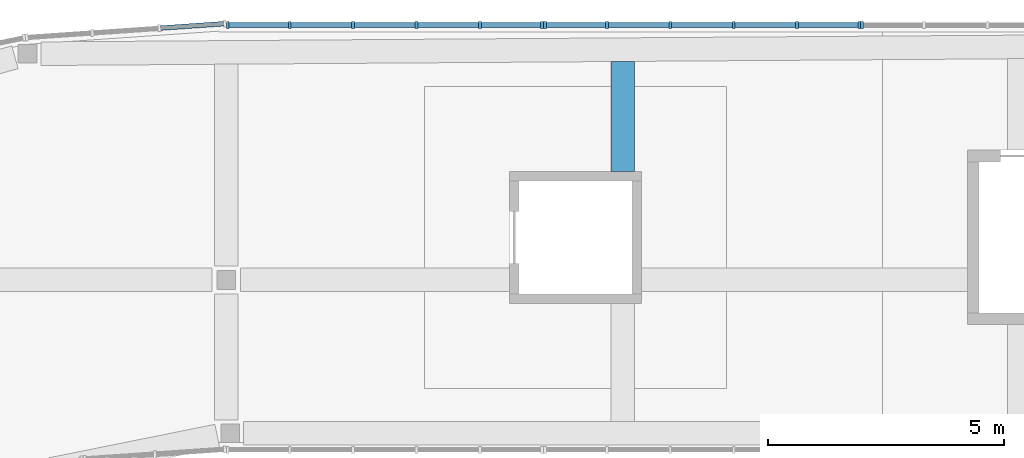
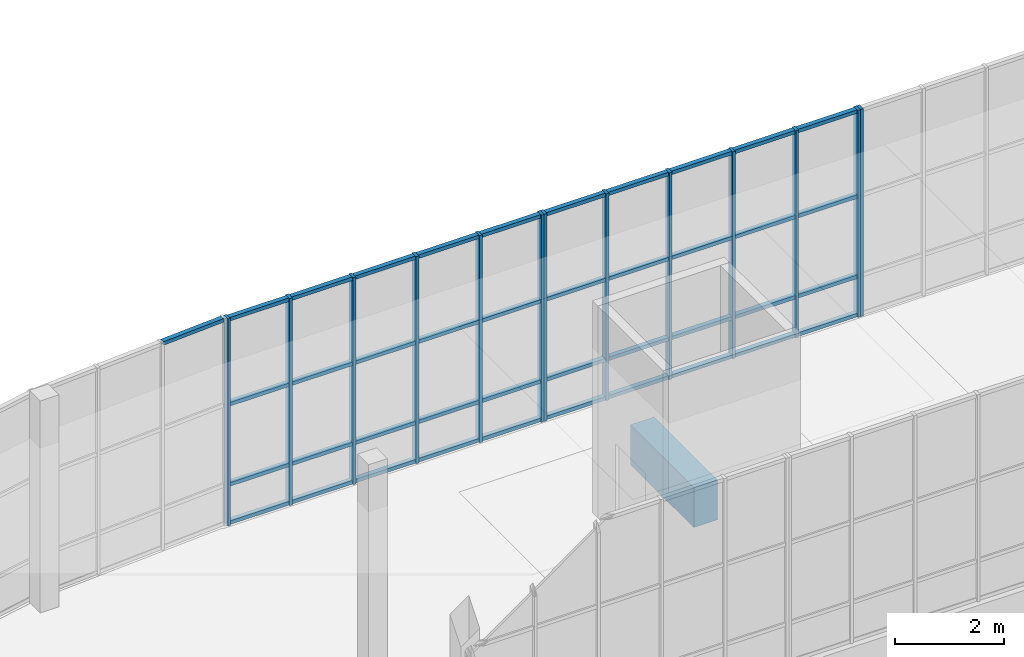
# One storey, part 31 of 103: 54 members, 1 beam, 4 elements without a shape of their own.
"""IFC4 building model written with IfcOpenShell, lengths in metres."""

from ifc_helpers import new_model, si_unit, direction, frame, origin, origin_2d, place, context, subcontext, project, spatial, rectangle, extrude, material, layer, layer_set, material_profile, profile_set, type_object, element, aggregate, save


model = new_model("IFC4")

# Units and contexts
model_context = context("Model", 3, precision=1e-05, world=origin(), true_north=direction((0.0, 1.0)))
body_context = subcontext(model_context, "Body", "Model", "MODEL_VIEW")
ifc_project = project(units=[si_unit("LENGTHUNIT", "METRE"), si_unit("AREAUNIT", "SQUARE_METRE"), si_unit("VOLUMEUNIT", "CUBIC_METRE"), si_unit("PLANEANGLEUNIT", "RADIAN"), si_unit("MASSUNIT", "GRAM", prefix="KILO")], contexts=[model_context])

# Site, building, storey
site_placement = place(None, origin())
site = spatial("IfcSite", under=ifc_project, at=site_placement, CompositionType="ELEMENT")
building_placement = place(site_placement, origin())
building = spatial("IfcBuilding", under=site, at=building_placement, Name="Larchfold Concert Hall", CompositionType="ELEMENT")
storey_placement = place(building_placement, frame((0.0, 0.0, 9.60009765625)))
storey = spatial("IfcBuildingStorey", under=building, at=storey_placement, Name="L02", CompositionType="ELEMENT", Elevation=9.60009765625)

# Curtain wall, member
ifc_material_1 = material(Name="Anodised graphite aluminium curtain wall", Category="aluminium")
ifc_layer = layer(ifc_material_1, 0.14990234375)
ifc_layer_set = layer_set([ifc_layer], Name="Anodised graphite aluminium curtain wall")
curtain_wall_type = type_object("IfcCurtainWallType", Name="Curtain wall WG", PredefinedType="NOTDEFINED", material=ifc_layer_set)
curtain_wall_1_placement = place(storey_placement, origin())
curtain_wall_1 = element("IfcCurtainWall", 1, at=curtain_wall_1_placement, inside=storey, type_object=curtain_wall_type, Name="Curtain wall CW0252", PredefinedType="NOTDEFINED")
ifc_material_2 = material(Name="Anodised graphite aluminium mullion", Category="aluminium")
ifc_material_profile_1 = material_profile(ifc_material_2, rectangle(XDim=0.14990234375, YDim=0.06005859375, at=origin_2d()))
ifc_profile_set_1 = profile_set([ifc_material_profile_1], Name="Anodised graphite aluminium mullion")
member_type_1 = type_object("IfcMemberType", Name="Aluminium mullion 60x150", PredefinedType="MULLION", material=ifc_profile_set_1)
member_1_placement = place(storey_placement, frame((56.070068359375, 132.0, 0.0), z_axis=(0.0, 0.0, 1.0), x_axis=(0.0, -1.0, 0.0)))
member_1 = element("IfcMember", 2, at=member_1_placement, type_object=member_type_1, Name="CW0252 mullion 6", PredefinedType="MULLION", context=body_context, shape_type="SweptSolid", body=[
    extrude(rectangle(XDim=0.14990234375, YDim=0.06005859375, at=origin_2d()), origin(), (0.0, 0.0, 1.0), 4.64990234375),
])
aggregate(curtain_wall_1, [member_1])

# Curtain wall, members
curtain_wall_2_placement = place(storey_placement, origin())
curtain_wall_2 = element("IfcCurtainWall", 3, at=curtain_wall_2_placement, inside=storey, type_object=curtain_wall_type, Name="Curtain wall CW0253", PredefinedType="NOTDEFINED")
member_2_placement = place(storey_placement, frame((56.010009765625, 132.0, 0.0), z_axis=(0.0, 0.0, 1.0), x_axis=(0.0, -1.0, 0.0)))
member_2 = element("IfcMember", 4, at=member_2_placement, type_object=member_type_1, Name="CW0253 mullion 1", PredefinedType="MULLION", context=body_context, shape_type="SweptSolid", body=[
    extrude(rectangle(XDim=0.14990234375, YDim=0.06005859375, at=origin_2d()), origin(), (0.0, 0.0, 1.0), 4.64990234375),
])
member_3_placement = place(storey_placement, frame((54.696044921875, 132.0, 0.0), z_axis=(0.0, 0.0, 1.0), x_axis=(0.0, -1.0, 0.0)))
member_3 = element("IfcMember", 5, at=member_3_placement, type_object=member_type_1, Name="CW0253 mullion 2", PredefinedType="MULLION", context=body_context, shape_type="SweptSolid", body=[
    extrude(rectangle(XDim=0.14990234375, YDim=0.06005859375, at=origin_2d()), origin(), (0.0, 0.0, 1.0), 4.64990234375),
])
member_4_placement = place(storey_placement, frame((53.35205078125, 132.0, 0.0), z_axis=(0.0, 0.0, 1.0), x_axis=(0.0, -1.0, 0.0)))
member_4 = element("IfcMember", 6, at=member_4_placement, type_object=member_type_1, Name="CW0253 mullion 3", PredefinedType="MULLION", context=body_context, shape_type="SweptSolid", body=[
    extrude(rectangle(XDim=0.14990234375, YDim=0.06005859375, at=origin_2d()), origin(), (0.0, 0.0, 1.0), 4.64990234375),
])
member_5_placement = place(storey_placement, frame((52.008056640625, 132.0, 0.0), z_axis=(0.0, 0.0, 1.0), x_axis=(0.0, -1.0, 0.0)))
member_5 = element("IfcMember", 7, at=member_5_placement, type_object=member_type_1, Name="CW0253 mullion 4", PredefinedType="MULLION", context=body_context, shape_type="SweptSolid", body=[
    extrude(rectangle(XDim=0.14990234375, YDim=0.06005859375, at=origin_2d()), origin(), (0.0, 0.0, 1.0), 4.64990234375),
])
member_6_placement = place(storey_placement, frame((50.6640625, 132.0, 0.0), z_axis=(0.0, 0.0, 1.0), x_axis=(0.0, -1.0, 0.0)))
member_6 = element("IfcMember", 8, at=member_6_placement, type_object=member_type_1, Name="CW0253 mullion 5", PredefinedType="MULLION", context=body_context, shape_type="SweptSolid", body=[
    extrude(rectangle(XDim=0.14990234375, YDim=0.06005859375, at=origin_2d()), origin(), (0.0, 0.0, 1.0), 4.64990234375),
])
member_7_placement = place(storey_placement, frame((49.35009765625, 132.0, 0.0), z_axis=(0.0, 0.0, 1.0), x_axis=(0.0, -1.0, 0.0)))
member_7 = element("IfcMember", 9, at=member_7_placement, type_object=member_type_1, Name="CW0253 mullion 6", PredefinedType="MULLION", context=body_context, shape_type="SweptSolid", body=[
    extrude(rectangle(XDim=0.14990234375, YDim=0.06005859375, at=origin_2d()), origin(), (0.0, 0.0, 1.0), 4.64990234375),
])

curtain_wall_3_placement = place(storey_placement, origin())
curtain_wall_3 = element("IfcCurtainWall", 10, at=curtain_wall_3_placement, inside=storey, type_object=curtain_wall_type, Name="Curtain wall CW0254", PredefinedType="NOTDEFINED")
member_8_placement = place(storey_placement, frame((49.2900390625, 132.0, 0.0), z_axis=(0.0, 0.0, 1.0), x_axis=(0.0, -1.0, 0.0)))
member_8 = element("IfcMember", 11, at=member_8_placement, type_object=member_type_1, Name="CW0254 mullion 1", PredefinedType="MULLION", context=body_context, shape_type="SweptSolid", body=[
    extrude(rectangle(XDim=0.14990234375, YDim=0.06005859375, at=origin_2d()), origin(), (0.0, 0.0, 1.0), 4.64990234375),
])
member_9_placement = place(storey_placement, frame((47.97607421875, 132.0, 0.0), z_axis=(0.0, 0.0, 1.0), x_axis=(0.0, -1.0, 0.0)))
member_9 = element("IfcMember", 12, at=member_9_placement, type_object=member_type_1, Name="CW0254 mullion 2", PredefinedType="MULLION", context=body_context, shape_type="SweptSolid", body=[
    extrude(rectangle(XDim=0.14990234375, YDim=0.06005859375, at=origin_2d()), origin(), (0.0, 0.0, 1.0), 4.64990234375),
])
member_10_placement = place(storey_placement, frame((46.632080078125, 132.0, 0.0), z_axis=(0.0, 0.0, 1.0), x_axis=(0.0, -1.0, 0.0)))
member_10 = element("IfcMember", 13, at=member_10_placement, type_object=member_type_1, Name="CW0254 mullion 3", PredefinedType="MULLION", context=body_context, shape_type="SweptSolid", body=[
    extrude(rectangle(XDim=0.14990234375, YDim=0.06005859375, at=origin_2d()), origin(), (0.0, 0.0, 1.0), 4.64990234375),
])
member_11_placement = place(storey_placement, frame((45.2880859375, 132.0, 0.0), z_axis=(0.0, 0.0, 1.0), x_axis=(0.0, -1.0, 0.0)))
member_11 = element("IfcMember", 14, at=member_11_placement, type_object=member_type_1, Name="CW0254 mullion 4", PredefinedType="MULLION", context=body_context, shape_type="SweptSolid", body=[
    extrude(rectangle(XDim=0.14990234375, YDim=0.06005859375, at=origin_2d()), origin(), (0.0, 0.0, 1.0), 4.64990234375),
])
member_12_placement = place(storey_placement, frame((43.944091796875, 132.0, 0.0), z_axis=(0.0, 0.0, 1.0), x_axis=(0.0, -1.0, 0.0)))
member_12 = element("IfcMember", 15, at=member_12_placement, type_object=member_type_1, Name="CW0254 mullion 5", PredefinedType="MULLION", context=body_context, shape_type="SweptSolid", body=[
    extrude(rectangle(XDim=0.14990234375, YDim=0.06005859375, at=origin_2d()), origin(), (0.0, 0.0, 1.0), 4.64990234375),
])
member_13_placement = place(storey_placement, frame((42.630126953125, 132.0, 0.0), z_axis=(0.0, 0.0, 1.0), x_axis=(0.0, -1.0, 0.0)))
member_13 = element("IfcMember", 16, at=member_13_placement, type_object=member_type_1, Name="CW0254 mullion 6", PredefinedType="MULLION", context=body_context, shape_type="SweptSolid", body=[
    extrude(rectangle(XDim=0.14990234375, YDim=0.06005859375, at=origin_2d()), origin(), (0.0, 0.0, 1.0), 4.64990234375),
])

# Member
ifc_material_3 = material(Name="Anodised graphite aluminium transom", Category="aluminium")
ifc_material_profile_2 = material_profile(ifc_material_3, rectangle(XDim=0.10009765625, YDim=0.080078125, at=origin_2d()))
ifc_profile_set_2 = profile_set([ifc_material_profile_2], Name="Anodised graphite aluminium transom")
member_type_2 = type_object("IfcMemberType", Name="Aluminium transom 80x100", PredefinedType="USERDEFINED", material=ifc_profile_set_2)
member_14_placement = place(storey_placement, frame((55.97998046875, 132.0, 0.0400390625), z_axis=(-1.0, 0.0, 0.0), x_axis=(0.0, -1.0, 0.0)))
member_14 = element("IfcMember", 17, at=member_14_placement, type_object=member_type_2, Name="CW0253 transom 1.1", ObjectType="TRANSOM", PredefinedType="USERDEFINED", context=body_context, shape_type="SweptSolid", body=[
    extrude(rectangle(XDim=0.10009765625, YDim=0.080078125, at=origin_2d()), origin(), (0.0, 0.0, 1.0), 1.25390625),
])

member_15_placement = place(storey_placement, frame((55.97998046875, 132.0, 0.89990234375), z_axis=(-1.0, 0.0, 0.0), x_axis=(0.0, -1.0, 0.0)))
member_15 = element("IfcMember", 18, at=member_15_placement, type_object=member_type_2, Name="CW0253 transom 1.2", ObjectType="TRANSOM", PredefinedType="USERDEFINED", context=body_context, shape_type="SweptSolid", body=[
    extrude(rectangle(XDim=0.10009765625, YDim=0.080078125, at=origin_2d()), origin(), (0.0, 0.0, 1.0), 1.25390625),
])

member_16_placement = place(storey_placement, frame((55.97998046875, 132.0, 2.699951171875), z_axis=(-1.0, 0.0, 0.0), x_axis=(0.0, -1.0, 0.0)))
member_16 = element("IfcMember", 19, at=member_16_placement, type_object=member_type_2, Name="CW0253 transom 1.3", ObjectType="TRANSOM", PredefinedType="USERDEFINED", context=body_context, shape_type="SweptSolid", body=[
    extrude(rectangle(XDim=0.10009765625, YDim=0.080078125, at=origin_2d()), origin(), (0.0, 0.0, 1.0), 1.25390625),
])

member_17_placement = place(storey_placement, frame((55.97998046875, 132.0, 4.60986328125), z_axis=(-1.0, 0.0, 0.0), x_axis=(0.0, -1.0, 0.0)))
member_17 = element("IfcMember", 20, at=member_17_placement, type_object=member_type_2, Name="CW0253 transom 1.4", ObjectType="TRANSOM", PredefinedType="USERDEFINED", context=body_context, shape_type="SweptSolid", body=[
    extrude(rectangle(XDim=0.10009765625, YDim=0.080078125, at=origin_2d()), origin(), (0.0, 0.0, 1.0), 1.25390625),
])

member_18_placement = place(storey_placement, frame((54.666015625, 132.0, 0.0400390625), z_axis=(-1.0, 0.0, 0.0), x_axis=(0.0, -1.0, 0.0)))
member_18 = element("IfcMember", 21, at=member_18_placement, type_object=member_type_2, Name="CW0253 transom 2.1", ObjectType="TRANSOM", PredefinedType="USERDEFINED", context=body_context, shape_type="SweptSolid", body=[
    extrude(rectangle(XDim=0.10009765625, YDim=0.080078125, at=origin_2d()), origin(), (0.0, 0.0, 1.0), 1.283935546875),
])

member_19_placement = place(storey_placement, frame((54.666015625, 132.0, 0.89990234375), z_axis=(-1.0, 0.0, 0.0), x_axis=(0.0, -1.0, 0.0)))
member_19 = element("IfcMember", 22, at=member_19_placement, type_object=member_type_2, Name="CW0253 transom 2.2", ObjectType="TRANSOM", PredefinedType="USERDEFINED", context=body_context, shape_type="SweptSolid", body=[
    extrude(rectangle(XDim=0.10009765625, YDim=0.080078125, at=origin_2d()), origin(), (0.0, 0.0, 1.0), 1.283935546875),
])

member_20_placement = place(storey_placement, frame((54.666015625, 132.0, 2.699951171875), z_axis=(-1.0, 0.0, 0.0), x_axis=(0.0, -1.0, 0.0)))
member_20 = element("IfcMember", 23, at=member_20_placement, type_object=member_type_2, Name="CW0253 transom 2.3", ObjectType="TRANSOM", PredefinedType="USERDEFINED", context=body_context, shape_type="SweptSolid", body=[
    extrude(rectangle(XDim=0.10009765625, YDim=0.080078125, at=origin_2d()), origin(), (0.0, 0.0, 1.0), 1.283935546875),
])

member_21_placement = place(storey_placement, frame((54.666015625, 132.0, 4.60986328125), z_axis=(-1.0, 0.0, 0.0), x_axis=(0.0, -1.0, 0.0)))
member_21 = element("IfcMember", 24, at=member_21_placement, type_object=member_type_2, Name="CW0253 transom 2.4", ObjectType="TRANSOM", PredefinedType="USERDEFINED", context=body_context, shape_type="SweptSolid", body=[
    extrude(rectangle(XDim=0.10009765625, YDim=0.080078125, at=origin_2d()), origin(), (0.0, 0.0, 1.0), 1.283935546875),
])

member_22_placement = place(storey_placement, frame((53.322021484375, 132.0, 0.0400390625), z_axis=(-1.0, 0.0, 0.0), x_axis=(0.0, -1.0, 0.0)))
member_22 = element("IfcMember", 25, at=member_22_placement, type_object=member_type_2, Name="CW0253 transom 3.1", ObjectType="TRANSOM", PredefinedType="USERDEFINED", context=body_context, shape_type="SweptSolid", body=[
    extrude(rectangle(XDim=0.10009765625, YDim=0.080078125, at=origin_2d()), origin(), (0.0, 0.0, 1.0), 1.283935546875),
])

member_23_placement = place(storey_placement, frame((53.322021484375, 132.0, 0.89990234375), z_axis=(-1.0, 0.0, 0.0), x_axis=(0.0, -1.0, 0.0)))
member_23 = element("IfcMember", 26, at=member_23_placement, type_object=member_type_2, Name="CW0253 transom 3.2", ObjectType="TRANSOM", PredefinedType="USERDEFINED", context=body_context, shape_type="SweptSolid", body=[
    extrude(rectangle(XDim=0.10009765625, YDim=0.080078125, at=origin_2d()), origin(), (0.0, 0.0, 1.0), 1.283935546875),
])

member_24_placement = place(storey_placement, frame((53.322021484375, 132.0, 2.699951171875), z_axis=(-1.0, 0.0, 0.0), x_axis=(0.0, -1.0, 0.0)))
member_24 = element("IfcMember", 27, at=member_24_placement, type_object=member_type_2, Name="CW0253 transom 3.3", ObjectType="TRANSOM", PredefinedType="USERDEFINED", context=body_context, shape_type="SweptSolid", body=[
    extrude(rectangle(XDim=0.10009765625, YDim=0.080078125, at=origin_2d()), origin(), (0.0, 0.0, 1.0), 1.283935546875),
])

member_25_placement = place(storey_placement, frame((53.322021484375, 132.0, 4.60986328125), z_axis=(-1.0, 0.0, 0.0), x_axis=(0.0, -1.0, 0.0)))
member_25 = element("IfcMember", 28, at=member_25_placement, type_object=member_type_2, Name="CW0253 transom 3.4", ObjectType="TRANSOM", PredefinedType="USERDEFINED", context=body_context, shape_type="SweptSolid", body=[
    extrude(rectangle(XDim=0.10009765625, YDim=0.080078125, at=origin_2d()), origin(), (0.0, 0.0, 1.0), 1.283935546875),
])

member_26_placement = place(storey_placement, frame((51.97802734375, 132.0, 0.0400390625), z_axis=(-1.0, 0.0, 0.0), x_axis=(0.0, -1.0, 0.0)))
member_26 = element("IfcMember", 29, at=member_26_placement, type_object=member_type_2, Name="CW0253 transom 4.1", ObjectType="TRANSOM", PredefinedType="USERDEFINED", context=body_context, shape_type="SweptSolid", body=[
    extrude(rectangle(XDim=0.10009765625, YDim=0.080078125, at=origin_2d()), origin(), (0.0, 0.0, 1.0), 1.283935546875),
])

member_27_placement = place(storey_placement, frame((51.97802734375, 132.0, 0.89990234375), z_axis=(-1.0, 0.0, 0.0), x_axis=(0.0, -1.0, 0.0)))
member_27 = element("IfcMember", 30, at=member_27_placement, type_object=member_type_2, Name="CW0253 transom 4.2", ObjectType="TRANSOM", PredefinedType="USERDEFINED", context=body_context, shape_type="SweptSolid", body=[
    extrude(rectangle(XDim=0.10009765625, YDim=0.080078125, at=origin_2d()), origin(), (0.0, 0.0, 1.0), 1.283935546875),
])

member_28_placement = place(storey_placement, frame((51.97802734375, 132.0, 2.699951171875), z_axis=(-1.0, 0.0, 0.0), x_axis=(0.0, -1.0, 0.0)))
member_28 = element("IfcMember", 31, at=member_28_placement, type_object=member_type_2, Name="CW0253 transom 4.3", ObjectType="TRANSOM", PredefinedType="USERDEFINED", context=body_context, shape_type="SweptSolid", body=[
    extrude(rectangle(XDim=0.10009765625, YDim=0.080078125, at=origin_2d()), origin(), (0.0, 0.0, 1.0), 1.283935546875),
])

member_29_placement = place(storey_placement, frame((51.97802734375, 132.0, 4.60986328125), z_axis=(-1.0, 0.0, 0.0), x_axis=(0.0, -1.0, 0.0)))
member_29 = element("IfcMember", 32, at=member_29_placement, type_object=member_type_2, Name="CW0253 transom 4.4", ObjectType="TRANSOM", PredefinedType="USERDEFINED", context=body_context, shape_type="SweptSolid", body=[
    extrude(rectangle(XDim=0.10009765625, YDim=0.080078125, at=origin_2d()), origin(), (0.0, 0.0, 1.0), 1.283935546875),
])

member_30_placement = place(storey_placement, frame((50.634033203125, 132.0, 0.0400390625), z_axis=(-1.0, 0.0, 0.0), x_axis=(0.0, -1.0, 0.0)))
member_30 = element("IfcMember", 33, at=member_30_placement, type_object=member_type_2, Name="CW0253 transom 5.1", ObjectType="TRANSOM", PredefinedType="USERDEFINED", context=body_context, shape_type="SweptSolid", body=[
    extrude(rectangle(XDim=0.10009765625, YDim=0.080078125, at=origin_2d()), origin(), (0.0, 0.0, 1.0), 1.25390625),
])

member_31_placement = place(storey_placement, frame((50.634033203125, 132.0, 0.89990234375), z_axis=(-1.0, 0.0, 0.0), x_axis=(0.0, -1.0, 0.0)))
member_31 = element("IfcMember", 34, at=member_31_placement, type_object=member_type_2, Name="CW0253 transom 5.2", ObjectType="TRANSOM", PredefinedType="USERDEFINED", context=body_context, shape_type="SweptSolid", body=[
    extrude(rectangle(XDim=0.10009765625, YDim=0.080078125, at=origin_2d()), origin(), (0.0, 0.0, 1.0), 1.25390625),
])

member_32_placement = place(storey_placement, frame((50.634033203125, 132.0, 2.699951171875), z_axis=(-1.0, 0.0, 0.0), x_axis=(0.0, -1.0, 0.0)))
member_32 = element("IfcMember", 35, at=member_32_placement, type_object=member_type_2, Name="CW0253 transom 5.3", ObjectType="TRANSOM", PredefinedType="USERDEFINED", context=body_context, shape_type="SweptSolid", body=[
    extrude(rectangle(XDim=0.10009765625, YDim=0.080078125, at=origin_2d()), origin(), (0.0, 0.0, 1.0), 1.25390625),
])

member_33_placement = place(storey_placement, frame((50.634033203125, 132.0, 4.60986328125), z_axis=(-1.0, 0.0, 0.0), x_axis=(0.0, -1.0, 0.0)))
member_33 = element("IfcMember", 36, at=member_33_placement, type_object=member_type_2, Name="CW0253 transom 5.4", ObjectType="TRANSOM", PredefinedType="USERDEFINED", context=body_context, shape_type="SweptSolid", body=[
    extrude(rectangle(XDim=0.10009765625, YDim=0.080078125, at=origin_2d()), origin(), (0.0, 0.0, 1.0), 1.25390625),
])

aggregate(curtain_wall_2, [member_2, member_3, member_4, member_5, member_6, member_7, member_14, member_15, member_16, member_17, member_18, member_19, member_20, member_21, member_22, member_23, member_24, member_25, member_26, member_27, member_28, member_29, member_30, member_31, member_32, member_33])

member_34_placement = place(storey_placement, frame((49.260009765625, 132.0, 0.0400390625), z_axis=(-1.0, 0.0, 0.0), x_axis=(0.0, -1.0, 0.0)))
member_34 = element("IfcMember", 37, at=member_34_placement, type_object=member_type_2, Name="CW0254 transom 1.1", ObjectType="TRANSOM", PredefinedType="USERDEFINED", context=body_context, shape_type="SweptSolid", body=[
    extrude(rectangle(XDim=0.10009765625, YDim=0.080078125, at=origin_2d()), origin(), (0.0, 0.0, 1.0), 1.25390625),
])

member_35_placement = place(storey_placement, frame((49.260009765625, 132.0, 0.89990234375), z_axis=(-1.0, 0.0, 0.0), x_axis=(0.0, -1.0, 0.0)))
member_35 = element("IfcMember", 38, at=member_35_placement, type_object=member_type_2, Name="CW0254 transom 1.2", ObjectType="TRANSOM", PredefinedType="USERDEFINED", context=body_context, shape_type="SweptSolid", body=[
    extrude(rectangle(XDim=0.10009765625, YDim=0.080078125, at=origin_2d()), origin(), (0.0, 0.0, 1.0), 1.25390625),
])

member_36_placement = place(storey_placement, frame((49.260009765625, 132.0, 2.699951171875), z_axis=(-1.0, 0.0, 0.0), x_axis=(0.0, -1.0, 0.0)))
member_36 = element("IfcMember", 39, at=member_36_placement, type_object=member_type_2, Name="CW0254 transom 1.3", ObjectType="TRANSOM", PredefinedType="USERDEFINED", context=body_context, shape_type="SweptSolid", body=[
    extrude(rectangle(XDim=0.10009765625, YDim=0.080078125, at=origin_2d()), origin(), (0.0, 0.0, 1.0), 1.25390625),
])

member_37_placement = place(storey_placement, frame((49.260009765625, 132.0, 4.60986328125), z_axis=(-1.0, 0.0, 0.0), x_axis=(0.0, -1.0, 0.0)))
member_37 = element("IfcMember", 40, at=member_37_placement, type_object=member_type_2, Name="CW0254 transom 1.4", ObjectType="TRANSOM", PredefinedType="USERDEFINED", context=body_context, shape_type="SweptSolid", body=[
    extrude(rectangle(XDim=0.10009765625, YDim=0.080078125, at=origin_2d()), origin(), (0.0, 0.0, 1.0), 1.25390625),
])

member_38_placement = place(storey_placement, frame((47.946044921875, 132.0, 0.0400390625), z_axis=(-1.0, 0.0, 0.0), x_axis=(0.0, -1.0, 0.0)))
member_38 = element("IfcMember", 41, at=member_38_placement, type_object=member_type_2, Name="CW0254 transom 2.1", ObjectType="TRANSOM", PredefinedType="USERDEFINED", context=body_context, shape_type="SweptSolid", body=[
    extrude(rectangle(XDim=0.10009765625, YDim=0.080078125, at=origin_2d()), origin(), (0.0, 0.0, 1.0), 1.283935546875),
])

member_39_placement = place(storey_placement, frame((47.946044921875, 132.0, 0.89990234375), z_axis=(-1.0, 0.0, 0.0), x_axis=(0.0, -1.0, 0.0)))
member_39 = element("IfcMember", 42, at=member_39_placement, type_object=member_type_2, Name="CW0254 transom 2.2", ObjectType="TRANSOM", PredefinedType="USERDEFINED", context=body_context, shape_type="SweptSolid", body=[
    extrude(rectangle(XDim=0.10009765625, YDim=0.080078125, at=origin_2d()), origin(), (0.0, 0.0, 1.0), 1.283935546875),
])

member_40_placement = place(storey_placement, frame((47.946044921875, 132.0, 2.699951171875), z_axis=(-1.0, 0.0, 0.0), x_axis=(0.0, -1.0, 0.0)))
member_40 = element("IfcMember", 43, at=member_40_placement, type_object=member_type_2, Name="CW0254 transom 2.3", ObjectType="TRANSOM", PredefinedType="USERDEFINED", context=body_context, shape_type="SweptSolid", body=[
    extrude(rectangle(XDim=0.10009765625, YDim=0.080078125, at=origin_2d()), origin(), (0.0, 0.0, 1.0), 1.283935546875),
])

member_41_placement = place(storey_placement, frame((47.946044921875, 132.0, 4.60986328125), z_axis=(-1.0, 0.0, 0.0), x_axis=(0.0, -1.0, 0.0)))
member_41 = element("IfcMember", 44, at=member_41_placement, type_object=member_type_2, Name="CW0254 transom 2.4", ObjectType="TRANSOM", PredefinedType="USERDEFINED", context=body_context, shape_type="SweptSolid", body=[
    extrude(rectangle(XDim=0.10009765625, YDim=0.080078125, at=origin_2d()), origin(), (0.0, 0.0, 1.0), 1.283935546875),
])

member_42_placement = place(storey_placement, frame((46.60205078125, 132.0, 0.0400390625), z_axis=(-1.0, 0.0, 0.0), x_axis=(0.0, -1.0, 0.0)))
member_42 = element("IfcMember", 45, at=member_42_placement, type_object=member_type_2, Name="CW0254 transom 3.1", ObjectType="TRANSOM", PredefinedType="USERDEFINED", context=body_context, shape_type="SweptSolid", body=[
    extrude(rectangle(XDim=0.10009765625, YDim=0.080078125, at=origin_2d()), origin(), (0.0, 0.0, 1.0), 1.283935546875),
])

member_43_placement = place(storey_placement, frame((46.60205078125, 132.0, 0.89990234375), z_axis=(-1.0, 0.0, 0.0), x_axis=(0.0, -1.0, 0.0)))
member_43 = element("IfcMember", 46, at=member_43_placement, type_object=member_type_2, Name="CW0254 transom 3.2", ObjectType="TRANSOM", PredefinedType="USERDEFINED", context=body_context, shape_type="SweptSolid", body=[
    extrude(rectangle(XDim=0.10009765625, YDim=0.080078125, at=origin_2d()), origin(), (0.0, 0.0, 1.0), 1.283935546875),
])

member_44_placement = place(storey_placement, frame((46.60205078125, 132.0, 2.699951171875), z_axis=(-1.0, 0.0, 0.0), x_axis=(0.0, -1.0, 0.0)))
member_44 = element("IfcMember", 47, at=member_44_placement, type_object=member_type_2, Name="CW0254 transom 3.3", ObjectType="TRANSOM", PredefinedType="USERDEFINED", context=body_context, shape_type="SweptSolid", body=[
    extrude(rectangle(XDim=0.10009765625, YDim=0.080078125, at=origin_2d()), origin(), (0.0, 0.0, 1.0), 1.283935546875),
])

member_45_placement = place(storey_placement, frame((46.60205078125, 132.0, 4.60986328125), z_axis=(-1.0, 0.0, 0.0), x_axis=(0.0, -1.0, 0.0)))
member_45 = element("IfcMember", 48, at=member_45_placement, type_object=member_type_2, Name="CW0254 transom 3.4", ObjectType="TRANSOM", PredefinedType="USERDEFINED", context=body_context, shape_type="SweptSolid", body=[
    extrude(rectangle(XDim=0.10009765625, YDim=0.080078125, at=origin_2d()), origin(), (0.0, 0.0, 1.0), 1.283935546875),
])

member_46_placement = place(storey_placement, frame((45.258056640625, 132.0, 0.0400390625), z_axis=(-1.0, 0.0, 0.0), x_axis=(0.0, -1.0, 0.0)))
member_46 = element("IfcMember", 49, at=member_46_placement, type_object=member_type_2, Name="CW0254 transom 4.1", ObjectType="TRANSOM", PredefinedType="USERDEFINED", context=body_context, shape_type="SweptSolid", body=[
    extrude(rectangle(XDim=0.10009765625, YDim=0.080078125, at=origin_2d()), origin(), (0.0, 0.0, 1.0), 1.283935546875),
])

member_47_placement = place(storey_placement, frame((45.258056640625, 132.0, 0.89990234375), z_axis=(-1.0, 0.0, 0.0), x_axis=(0.0, -1.0, 0.0)))
member_47 = element("IfcMember", 50, at=member_47_placement, type_object=member_type_2, Name="CW0254 transom 4.2", ObjectType="TRANSOM", PredefinedType="USERDEFINED", context=body_context, shape_type="SweptSolid", body=[
    extrude(rectangle(XDim=0.10009765625, YDim=0.080078125, at=origin_2d()), origin(), (0.0, 0.0, 1.0), 1.283935546875),
])

member_48_placement = place(storey_placement, frame((45.258056640625, 132.0, 2.699951171875), z_axis=(-1.0, 0.0, 0.0), x_axis=(0.0, -1.0, 0.0)))
member_48 = element("IfcMember", 51, at=member_48_placement, type_object=member_type_2, Name="CW0254 transom 4.3", ObjectType="TRANSOM", PredefinedType="USERDEFINED", context=body_context, shape_type="SweptSolid", body=[
    extrude(rectangle(XDim=0.10009765625, YDim=0.080078125, at=origin_2d()), origin(), (0.0, 0.0, 1.0), 1.283935546875),
])

member_49_placement = place(storey_placement, frame((45.258056640625, 132.0, 4.60986328125), z_axis=(-1.0, 0.0, 0.0), x_axis=(0.0, -1.0, 0.0)))
member_49 = element("IfcMember", 52, at=member_49_placement, type_object=member_type_2, Name="CW0254 transom 4.4", ObjectType="TRANSOM", PredefinedType="USERDEFINED", context=body_context, shape_type="SweptSolid", body=[
    extrude(rectangle(XDim=0.10009765625, YDim=0.080078125, at=origin_2d()), origin(), (0.0, 0.0, 1.0), 1.283935546875),
])

member_50_placement = place(storey_placement, frame((43.9140625, 132.0, 0.0400390625), z_axis=(-1.0, 0.0, 0.0), x_axis=(0.0, -1.0, 0.0)))
member_50 = element("IfcMember", 53, at=member_50_placement, type_object=member_type_2, Name="CW0254 transom 5.1", ObjectType="TRANSOM", PredefinedType="USERDEFINED", context=body_context, shape_type="SweptSolid", body=[
    extrude(rectangle(XDim=0.10009765625, YDim=0.080078125, at=origin_2d()), origin(), (0.0, 0.0, 1.0), 1.25390625),
])

member_51_placement = place(storey_placement, frame((43.9140625, 132.0, 0.89990234375), z_axis=(-1.0, 0.0, 0.0), x_axis=(0.0, -1.0, 0.0)))
member_51 = element("IfcMember", 54, at=member_51_placement, type_object=member_type_2, Name="CW0254 transom 5.2", ObjectType="TRANSOM", PredefinedType="USERDEFINED", context=body_context, shape_type="SweptSolid", body=[
    extrude(rectangle(XDim=0.10009765625, YDim=0.080078125, at=origin_2d()), origin(), (0.0, 0.0, 1.0), 1.25390625),
])

member_52_placement = place(storey_placement, frame((43.9140625, 132.0, 2.699951171875), z_axis=(-1.0, 0.0, 0.0), x_axis=(0.0, -1.0, 0.0)))
member_52 = element("IfcMember", 55, at=member_52_placement, type_object=member_type_2, Name="CW0254 transom 5.3", ObjectType="TRANSOM", PredefinedType="USERDEFINED", context=body_context, shape_type="SweptSolid", body=[
    extrude(rectangle(XDim=0.10009765625, YDim=0.080078125, at=origin_2d()), origin(), (0.0, 0.0, 1.0), 1.25390625),
])

member_53_placement = place(storey_placement, frame((43.9140625, 132.0, 4.60986328125), z_axis=(-1.0, 0.0, 0.0), x_axis=(0.0, -1.0, 0.0)))
member_53 = element("IfcMember", 56, at=member_53_placement, type_object=member_type_2, Name="CW0254 transom 5.4", ObjectType="TRANSOM", PredefinedType="USERDEFINED", context=body_context, shape_type="SweptSolid", body=[
    extrude(rectangle(XDim=0.10009765625, YDim=0.080078125, at=origin_2d()), origin(), (0.0, 0.0, 1.0), 1.25390625),
])

aggregate(curtain_wall_3, [member_8, member_9, member_10, member_11, member_12, member_13, member_34, member_35, member_36, member_37, member_38, member_39, member_40, member_41, member_42, member_43, member_44, member_45, member_46, member_47, member_48, member_49, member_50, member_51, member_52, member_53])

# Curtain wall, member
curtain_wall_4_placement = place(storey_placement, origin())
curtain_wall_4 = element("IfcCurtainWall", 57, at=curtain_wall_4_placement, inside=storey, type_object=curtain_wall_type, Name="Curtain wall CW0255", PredefinedType="NOTDEFINED")
member_54_placement = place(storey_placement, frame((42.540283203125, 132.02783203125, 4.60986328125), z_axis=(-0.997635098012, -0.068732897622, 0.0), x_axis=(0.068732897622, -0.997635098012, 0.0)))
member_54 = element("IfcMember", 58, at=member_54_placement, type_object=member_type_2, Name="CW0255 transom 1.4", ObjectType="TRANSOM", PredefinedType="USERDEFINED", context=body_context, shape_type="SweptSolid", body=[
    extrude(rectangle(XDim=0.10009765625, YDim=0.080078125, at=origin_2d()), origin(), (0.0, 0.0, 1.0), 1.33203125),
])
aggregate(curtain_wall_4, [member_54])

# Beam
ifc_material_4 = material(Name="Concrete C35/45", Category="concrete")
ifc_material_profile_3 = material_profile(ifc_material_4, rectangle(XDim=0.5, YDim=0.89990234375, at=origin_2d()))
ifc_profile_set_3 = profile_set([ifc_material_profile_3], Name="Concrete C35/45")
beam_type = type_object("IfcBeamType", Name="Beam RC 500x900", PredefinedType="BEAM", material=ifc_profile_set_3)
beam_placement = place(storey_placement, frame((51.0, 128.89990234375, -0.60009765625), z_axis=(0.0, 1.0, 0.0), x_axis=(-1.0, 0.0, 0.0)))
element("IfcBeam", 59, at=beam_placement, inside=storey, type_object=beam_type, Name="Beam B1976", PredefinedType="BEAM", context=body_context, shape_type="SweptSolid", body=[
    extrude(rectangle(XDim=0.5, YDim=0.89990234375, at=origin_2d()), origin(), (0.0, 0.0, 1.0), 2.328369140625),
])

save(model, "model.ifc")
